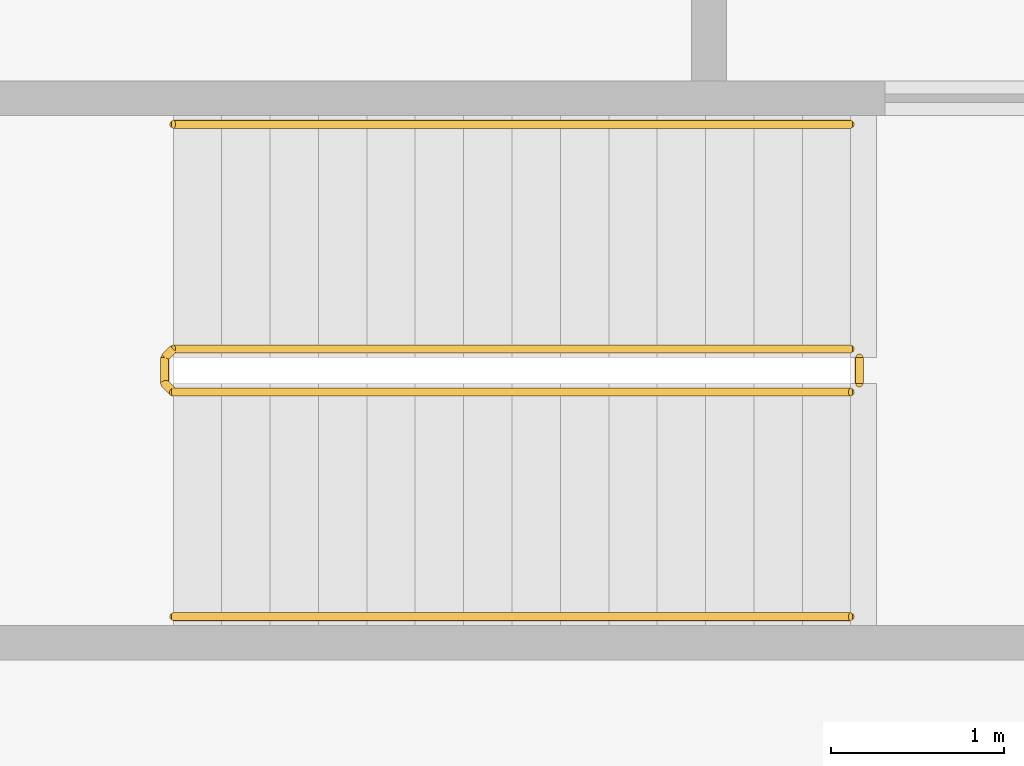
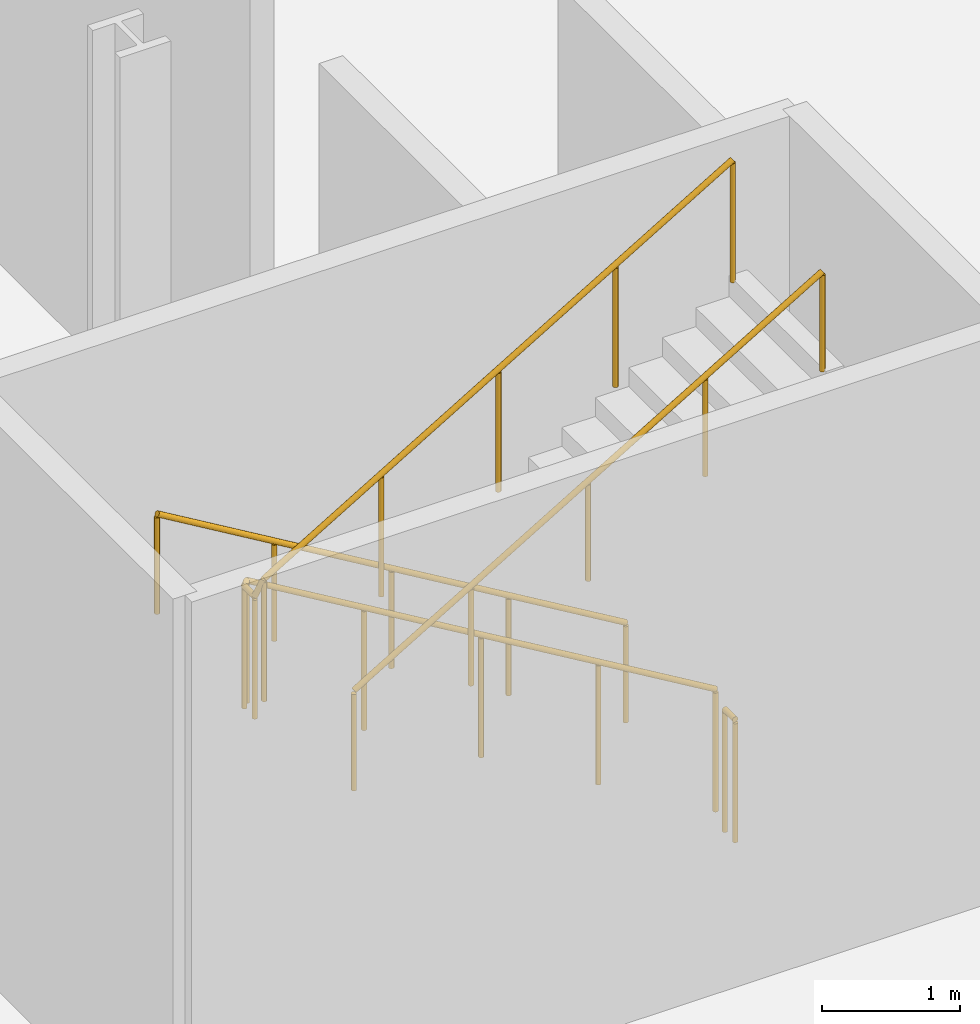
# One storey, part 17 of 19: 4 railings.
"""IFC4 building model written with IfcOpenShell, lengths in metres."""

from ifc_helpers import new_model, si_unit, direction, frame, origin, origin_2d, place, context, subcontext, project, spatial, circle, extrude, material, type_object, element, save


model = new_model("IFC4")

# Units and contexts
model_context = context("Model", 3, precision=1e-05, world=origin(), true_north=direction((0.0, 1.0)))
body_context = subcontext(model_context, "Body", "Model", "MODEL_VIEW")
ifc_project = project(units=[si_unit("LENGTHUNIT", "METRE"), si_unit("AREAUNIT", "SQUARE_METRE"), si_unit("VOLUMEUNIT", "CUBIC_METRE"), si_unit("PLANEANGLEUNIT", "RADIAN"), si_unit("MASSUNIT", "GRAM", prefix="KILO")], contexts=[model_context])

# Site, building, storey
site_placement = place(None, origin())
site = spatial("IfcSite", under=ifc_project, at=site_placement, CompositionType="ELEMENT")
building_placement = place(site_placement, origin())
building = spatial("IfcBuilding", under=site, at=building_placement, Name="Kheshtan School and Residences Tower", CompositionType="ELEMENT")
storey_placement = place(building_placement, frame((0.0, 0.0, -10.0)))
storey = spatial("IfcBuildingStorey", under=building, at=storey_placement, Name="B2", CompositionType="ELEMENT", Elevation=-10.0)

# Railings
ifc_material_1 = material(Name="Stainless steel balustrade", Category="steel")
railing_type_1 = type_object("IfcRailingType", Name="Stair guard 1100", PredefinedType="GUARDRAIL", material=ifc_material_1)
railing_1_placement = place(storey_placement, frame((17.419921875, 62.550048828125, 0.166748046875)))
element("IfcRailing", 1, at=railing_1_placement, inside=storey, type_object=railing_type_1, Name="B2 SS-west stair guard 1", PredefinedType="GUARDRAIL", context=body_context, shape_type="SweptSolid", body=[
    extrude(circle(Radius=0.02392578125, at=origin_2d()), frame((0.0, 0.0, 1.076171875), z_axis=(-0.859296244711, 0.0, 0.511478214419), x_axis=(0.0, -1.0, 0.0)), (0.0, 0.0, 1.0), 4.561767578125),
    extrude(circle(Radius=0.02392578125, at=origin_2d()), frame((-3.919921875, 0.0, 3.4091796875), z_axis=(-0.707106781187, -0.707106781187, 0.0), x_axis=(0.707106781187, -0.707106781187, 0.0)), (0.0, 0.0, 1.0), 0.07080078125),
    extrude(circle(Radius=0.02392578125, at=origin_2d()), frame((-3.969970703125, -0.050048828125, 3.4091796875), z_axis=(0.0, -1.0, 0.0), x_axis=(1.0, 0.0, 0.0)), (0.0, 0.0, 1.0), 0.14990234375),
    extrude(circle(Radius=0.02392578125, at=origin_2d()), frame((-3.969970703125, -0.199951171875, 3.4091796875), z_axis=(0.27628659633, -0.27628659633, 0.920506074601), x_axis=(0.707106781187, 0.707106781187, 0.0)), (0.0, 0.0, 1.0), 0.18115234375),
    extrude(circle(Radius=0.02392578125, at=origin_2d()), frame((-3.919921875, -0.25, 3.576171875), z_axis=(0.859296244711, 0.0, 0.511478214419), x_axis=(0.0, 1.0, 0.0)), (0.0, 0.0, 1.0), 4.561767578125),
    extrude(circle(Radius=0.02099609375, at=origin_2d()), origin(), (0.0, 0.0, 1.0), 1.052001953125),
    extrude(circle(Radius=0.02099609375, at=origin_2d()), frame((-0.97998046875, 0.0, 0.583251953125)), (0.0, 0.0, 1.0), 1.052001953125),
    extrude(circle(Radius=0.02099609375, at=origin_2d()), frame((-1.9599609375, 0.0, 1.16650390625)), (0.0, 0.0, 1.0), 1.052001953125),
    extrude(circle(Radius=0.02099609375, at=origin_2d()), frame((-2.93994140625, 0.0, 1.75)), (0.0, 0.0, 1.0), 1.052001953125),
    extrude(circle(Radius=0.02099609375, at=origin_2d()), frame((-3.919921875, 0.0, 2.333251953125)), (0.0, 0.0, 1.0), 1.052001953125),
    extrude(circle(Radius=0.02099609375, at=origin_2d()), frame((-3.969970703125, -0.050048828125, 2.333251953125)), (0.0, 0.0, 1.0), 1.052001953125),
    extrude(circle(Radius=0.02099609375, at=origin_2d()), frame((-3.969970703125, -0.199951171875, 2.333251953125)), (0.0, 0.0, 1.0), 1.052001953125),
    extrude(circle(Radius=0.02099609375, at=origin_2d()), frame((-3.919921875, -0.25, 2.5)), (0.0, 0.0, 1.0), 1.052001953125),
    extrude(circle(Radius=0.02099609375, at=origin_2d()), frame((-2.93994140625, -0.25, 3.083251953125)), (0.0, 0.0, 1.0), 1.052001953125),
    extrude(circle(Radius=0.02099609375, at=origin_2d()), frame((-1.9599609375, -0.25, 3.66650390625)), (0.0, 0.0, 1.0), 1.052001953125),
    extrude(circle(Radius=0.02099609375, at=origin_2d()), frame((-0.97998046875, -0.25, 4.25)), (0.0, 0.0, 1.0), 1.052001953125),
    extrude(circle(Radius=0.02099609375, at=origin_2d()), frame((0.0, -0.25, 4.833251953125)), (0.0, 0.0, 1.0), 1.052001953125),
])
railing_2_placement = place(storey_placement, frame((17.469970703125, 62.5, 0.0)))
element("IfcRailing", 2, at=railing_2_placement, inside=storey, type_object=railing_type_1, Name="B2 SS-west stair guard 2", PredefinedType="GUARDRAIL", context=body_context, shape_type="SweptSolid", body=[
    extrude(circle(Radius=0.02392578125, at=origin_2d()), frame((0.0, 0.0, 1.076171875), z_axis=(0.0, -1.0, 0.0), x_axis=(1.0, 0.0, 0.0)), (0.0, 0.0, 1.0), 0.14990234375),
    extrude(circle(Radius=0.02099609375, at=origin_2d()), origin(), (0.0, 0.0, 1.0), 1.052001953125),
    extrude(circle(Radius=0.02099609375, at=origin_2d()), frame((0.0, -0.14990234375, 0.0)), (0.0, 0.0, 1.0), 1.052001953125),
])
ifc_material_2 = material(Name="Stainless steel handrail", Category="steel")
railing_type_2 = type_object("IfcRailingType", Name="Stair handrail 900", PredefinedType="HANDRAIL", material=ifc_material_2)
railing_3_placement = place(storey_placement, frame((17.419921875, 63.85009765625, 0.166748046875)))
element("IfcRailing", 3, at=railing_3_placement, inside=storey, type_object=railing_type_2, Name="B2 SS-west stair handrail 1", PredefinedType="HANDRAIL", context=body_context, shape_type="SweptSolid", body=[
    extrude(circle(Radius=0.02392578125, at=origin_2d()), frame((0.0, 0.0, 0.8759765625), z_axis=(-0.859296244711, 0.0, 0.511478214419), x_axis=(0.0, -1.0, 0.0)), (0.0, 0.0, 1.0), 4.561767578125),
    extrude(circle(Radius=0.02099609375, at=origin_2d()), origin(), (0.0, 0.0, 1.0), 0.851806640625),
    extrude(circle(Radius=0.02099609375, at=origin_2d()), frame((-0.97998046875, 0.0, 0.583251953125)), (0.0, 0.0, 1.0), 0.851806640625),
    extrude(circle(Radius=0.02099609375, at=origin_2d()), frame((-1.9599609375, 0.0, 1.16650390625)), (0.0, 0.0, 1.0), 0.851806640625),
    extrude(circle(Radius=0.02099609375, at=origin_2d()), frame((-2.93994140625, 0.0, 1.75)), (0.0, 0.0, 1.0), 0.851806640625),
    extrude(circle(Radius=0.02099609375, at=origin_2d()), frame((-3.919921875, 0.0, 2.333251953125)), (0.0, 0.0, 1.0), 0.851806640625),
])
railing_4_placement = place(storey_placement, frame((13.5, 61.0, 2.666748046875)))
element("IfcRailing", 4, at=railing_4_placement, inside=storey, type_object=railing_type_2, Name="B2 SS-west stair handrail 2", PredefinedType="HANDRAIL", context=body_context, shape_type="SweptSolid", body=[
    extrude(circle(Radius=0.02392578125, at=origin_2d()), frame((0.0, 0.0, 0.8759765625), z_axis=(0.859296244711, 0.0, 0.511478214419), x_axis=(0.0, 1.0, 0.0)), (0.0, 0.0, 1.0), 4.561767578125),
    extrude(circle(Radius=0.02099609375, at=origin_2d()), origin(), (0.0, 0.0, 1.0), 0.851806640625),
    extrude(circle(Radius=0.02099609375, at=origin_2d()), frame((0.97998046875, 0.0, 0.583251953125)), (0.0, 0.0, 1.0), 0.851806640625),
    extrude(circle(Radius=0.02099609375, at=origin_2d()), frame((1.9599609375, 0.0, 1.16650390625)), (0.0, 0.0, 1.0), 0.851806640625),
    extrude(circle(Radius=0.02099609375, at=origin_2d()), frame((2.93994140625, 0.0, 1.75)), (0.0, 0.0, 1.0), 0.851806640625),
    extrude(circle(Radius=0.02099609375, at=origin_2d()), frame((3.919921875, 0.0, 2.333251953125)), (0.0, 0.0, 1.0), 0.851806640625),
])

save(model, "model.ifc")
